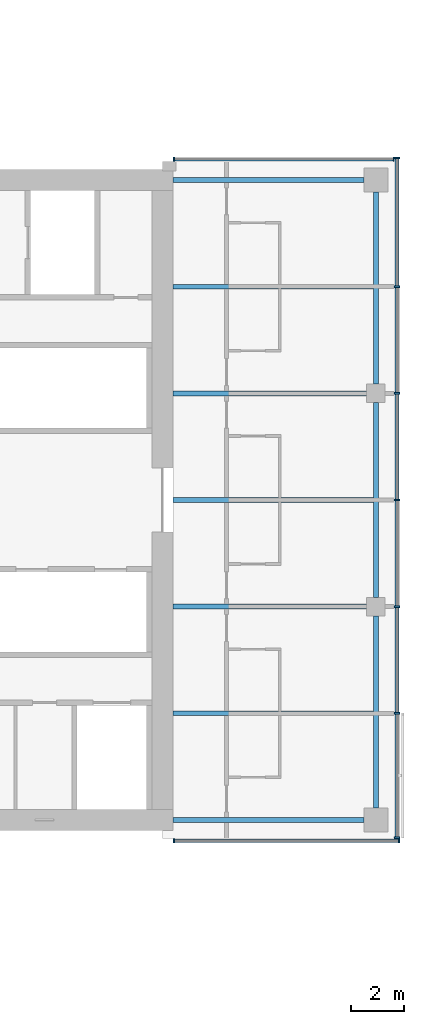
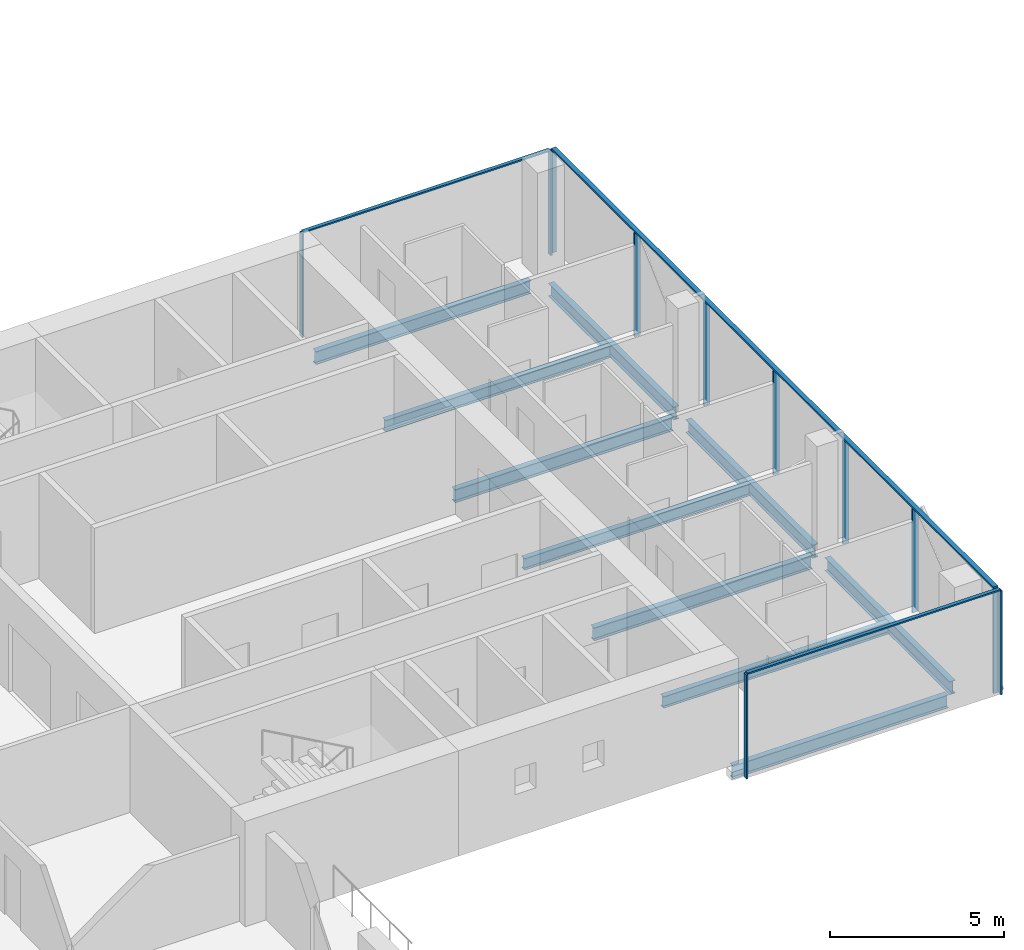
# One storey, part 11 of 27: 14 members, 10 beams, 3 elements without a shape of their own.
"""IFC4 building model written with IfcOpenShell, lengths in metres."""

from ifc_helpers import new_model, si_unit, direction, frame, origin, origin_2d, place, context, subcontext, project, spatial, rectangle, i_section, extrude, material, material_profile, profile_set, type_object, element, aggregate, save


model = new_model("IFC4")

# Units and contexts
model_context = context("Model", 3, precision=1e-05, world=origin(), true_north=direction((0.0, 1.0)))
body_context = subcontext(model_context, "Body", "Model", "MODEL_VIEW")
ifc_project = project(units=[si_unit("LENGTHUNIT", "METRE"), si_unit("AREAUNIT", "SQUARE_METRE"), si_unit("VOLUMEUNIT", "CUBIC_METRE"), si_unit("PLANEANGLEUNIT", "RADIAN"), si_unit("MASSUNIT", "GRAM", prefix="KILO")], contexts=[model_context])

# Site, building, storey
site_placement = place(None, origin())
site = spatial("IfcSite", under=ifc_project, at=site_placement, CompositionType="ELEMENT")
building_placement = place(site_placement, origin())
building = spatial("IfcBuilding", under=site, at=building_placement, Name="Crosswind Convention Tower", CompositionType="ELEMENT")
storey_placement = place(building_placement, frame((0.0, 0.0, 94.199951171875)))
storey = spatial("IfcBuildingStorey", under=building, at=storey_placement, Name="L18", CompositionType="ELEMENT", Elevation=94.199951171875)

# Beams
ifc_material_1 = material(Name="Steel S355", Category="steel")
ifc_material_profile_1 = material_profile(ifc_material_1, i_section(OverallWidth=0.1904296875, OverallDepth=0.457275390625, WebThickness=0.009033203125, FlangeThickness=0.014404296875, FilletRadius=0.01025390625, at=origin_2d()), Name="UB 457x191x75")
ifc_profile_set_1 = profile_set([ifc_material_profile_1], Name="Steel S355")
beam_type_1 = type_object("IfcBeamType", Name="Edge beam UB 457x191x75", PredefinedType="SPANDREL", material=ifc_profile_set_1)
for number, where, z_axis, x_axis, name in (
    (1, (153.39990234375, 88.0, -0.508544921875), (1.0, 0.0, 0.0), (0.0, 1.0, 0.0), "B17 L18 edge beam 24"),
    (2, (153.39990234375, 112.0, -0.508544921875), (1.0, 0.0, 0.0), (0.0, 1.0, 0.0), "B17 L18 edge beam 25"),
):
    element("IfcBeam", number, at=place(storey_placement, frame(where, z_axis=z_axis, x_axis=x_axis)), inside=storey, type_object=beam_type_1, Name=name, PredefinedType="SPANDREL", context=body_context, shape_type="SweptSolid", body=[
        extrude(i_section(OverallWidth=0.1904296875, OverallDepth=0.457275390625, WebThickness=0.009033203125, FlangeThickness=0.014404296875, FilletRadius=0.01025390625, at=origin_2d()), origin(), (0.0, 0.0, 1.0), 7.150146484375),
    ])
beam_1_placement = place(storey_placement, frame((161.0, 88.449951171875, -0.508544921875), z_axis=(0.0, 1.0, 0.0), x_axis=(-1.0, 0.0, 0.0)))
element("IfcBeam", 3, at=beam_1_placement, inside=storey, type_object=beam_type_1, Name="B17 L18 edge beam 26", PredefinedType="SPANDREL", context=body_context, shape_type="SweptSolid", body=[
    extrude(i_section(OverallWidth=0.1904296875, OverallDepth=0.457275390625, WebThickness=0.009033203125, FlangeThickness=0.014404296875, FilletRadius=0.01025390625, at=origin_2d()), origin(), (0.0, 0.0, 1.0), 7.199951171875),
])
beam_2_placement = place(storey_placement, frame((161.0, 96.35009765625, -0.508544921875), z_axis=(0.0, 1.0, 0.0), x_axis=(-1.0, 0.0, 0.0)))
element("IfcBeam", 4, at=beam_2_placement, inside=storey, type_object=beam_type_1, Name="B17 L18 edge beam 27", PredefinedType="SPANDREL", context=body_context, shape_type="SweptSolid", body=[
    extrude(i_section(OverallWidth=0.1904296875, OverallDepth=0.457275390625, WebThickness=0.009033203125, FlangeThickness=0.014404296875, FilletRadius=0.01025390625, at=origin_2d()), origin(), (0.0, 0.0, 1.0), 7.2998046875),
])
beam_3_placement = place(storey_placement, frame((161.0, 104.35009765625, -0.508544921875), z_axis=(0.0, 1.0, 0.0), x_axis=(-1.0, 0.0, 0.0)))
element("IfcBeam", 5, at=beam_3_placement, inside=storey, type_object=beam_type_1, Name="B17 L18 edge beam 28", PredefinedType="SPANDREL", context=body_context, shape_type="SweptSolid", body=[
    extrude(i_section(OverallWidth=0.1904296875, OverallDepth=0.457275390625, WebThickness=0.009033203125, FlangeThickness=0.014404296875, FilletRadius=0.01025390625, at=origin_2d()), origin(), (0.0, 0.0, 1.0), 7.199951171875),
])
ifc_material_profile_2 = material_profile(ifc_material_1, i_section(OverallWidth=0.19189453125, OverallDepth=0.463623046875, WebThickness=0.010498046875, FlangeThickness=0.017578125, FilletRadius=0.01025390625, at=origin_2d()), Name="UB 457x191x90")
ifc_profile_set_2 = profile_set([ifc_material_profile_2], Name="Steel S355")
beam_type_2 = type_object("IfcBeamType", Name="Girder at core wall UB 457x191x90", PredefinedType="BEAM", material=ifc_profile_set_2)
for number, where, z_axis, x_axis, name in (
    (6, (153.39990234375, 96.0, -0.51171875), (1.0, 0.0, 0.0), (0.0, 1.0, 0.0), "B24 L18 girder at core wall 11"),
    (7, (153.39990234375, 104.0, -0.51171875), (1.0, 0.0, 0.0), (0.0, 1.0, 0.0), "B24 L18 girder at core wall 12"),
):
    element("IfcBeam", number, at=place(storey_placement, frame(where, z_axis=z_axis, x_axis=x_axis)), inside=storey, type_object=beam_type_2, Name=name, PredefinedType="BEAM", context=body_context, shape_type="SweptSolid", body=[
        extrude(i_section(OverallWidth=0.19189453125, OverallDepth=0.463623046875, WebThickness=0.010498046875, FlangeThickness=0.017578125, FilletRadius=0.01025390625, at=origin_2d()), origin(), (0.0, 0.0, 1.0), 7.25),
    ])

# Curtain wall, members
ifc_material_2 = material(Name="Aluminium unitised curtain wall", Category="aluminium")
curtain_wall_type_1 = type_object("IfcCurtainWallType", Name="CORE END SLOT WALL 160", PredefinedType="USERDEFINED", material=ifc_material_2)
curtain_wall_1_placement = place(storey_placement, origin())
curtain_wall_1 = element("IfcCurtainWall", 8, at=curtain_wall_1_placement, inside=storey, type_object=curtain_wall_type_1, Name="CW6 L18 E-N.1-1 slot", ObjectType="UNITISED", PredefinedType="USERDEFINED")
ifc_material_3 = material(Name="Aluminium mullion", Category="aluminium")
ifc_material_profile_3 = material_profile(ifc_material_3, rectangle(XDim=0.159912109375, YDim=0.050048828125, at=origin_2d()), Name="AL 160X50")
ifc_profile_set_3 = profile_set([ifc_material_profile_3], Name="Aluminium mullion")
member_type_1 = type_object("IfcMemberType", Name="MULLION 50X160", PredefinedType="MULLION", material=ifc_profile_set_3)
member_1_placement = place(storey_placement, frame((161.675048828125, 112.780029296875, -0.280029296875), z_axis=(0.0, 0.0, 1.0), x_axis=(0.0, 1.0, 0.0)))
member_1 = element("IfcMember", 9, at=member_1_placement, type_object=member_type_1, Name="CW6 mullion 1", PredefinedType="MULLION", context=body_context, shape_type="SweptSolid", body=[
    extrude(rectangle(XDim=0.159912109375, YDim=0.050048828125, at=origin_2d()), origin(), (0.0, 0.0, 1.0), 3.650146484375),
])
member_2_placement = place(storey_placement, frame((153.425048828125, 112.780029296875, -0.280029296875), z_axis=(0.0, 0.0, 1.0), x_axis=(0.0, 1.0, 0.0)))
member_2 = element("IfcMember", 10, at=member_2_placement, type_object=member_type_1, Name="CW6 mullion 2", PredefinedType="MULLION", context=body_context, shape_type="SweptSolid", body=[
    extrude(rectangle(XDim=0.159912109375, YDim=0.050048828125, at=origin_2d()), origin(), (0.0, 0.0, 1.0), 3.650146484375),
])

curtain_wall_2_placement = place(storey_placement, origin())
curtain_wall_2 = element("IfcCurtainWall", 11, at=curtain_wall_2_placement, inside=storey, type_object=curtain_wall_type_1, Name="CW6 L18 E-S.2-1 slot", ObjectType="UNITISED", PredefinedType="USERDEFINED")
member_3_placement = place(storey_placement, frame((153.425048828125, 87.219970703125, -0.280029296875), z_axis=(0.0, 0.0, 1.0), x_axis=(0.0, -1.0, 0.0)))
member_3 = element("IfcMember", 12, at=member_3_placement, type_object=member_type_1, Name="CW6 mullion 1", PredefinedType="MULLION", context=body_context, shape_type="SweptSolid", body=[
    extrude(rectangle(XDim=0.159912109375, YDim=0.050048828125, at=origin_2d()), origin(), (0.0, 0.0, 1.0), 3.650146484375),
])
member_4_placement = place(storey_placement, frame((161.875, 87.219970703125, -0.280029296875), z_axis=(0.0, 0.0, 1.0), x_axis=(0.0, -1.0, 0.0)))
member_4 = element("IfcMember", 13, at=member_4_placement, type_object=member_type_1, Name="CW6 mullion 2", PredefinedType="MULLION", context=body_context, shape_type="SweptSolid", body=[
    extrude(rectangle(XDim=0.159912109375, YDim=0.050048828125, at=origin_2d()), origin(), (0.0, 0.0, 1.0), 3.650146484375),
])

curtain_wall_type_2 = type_object("IfcCurtainWallType", Name="HOTEL UNITISED WALL 200", PredefinedType="USERDEFINED", material=ifc_material_2)
curtain_wall_3_placement = place(storey_placement, origin())
curtain_wall_3 = element("IfcCurtainWall", 14, at=curtain_wall_3_placement, inside=storey, type_object=curtain_wall_type_2, Name="CW2 L18 E-TIP 1", ObjectType="UNITISED", PredefinedType="USERDEFINED")
ifc_material_profile_4 = material_profile(ifc_material_3, rectangle(XDim=0.199951171875, YDim=0.06494140625, at=origin_2d()), Name="AL 200X65")
ifc_profile_set_4 = profile_set([ifc_material_profile_4], Name="Aluminium mullion")
member_type_2 = type_object("IfcMemberType", Name="MULLION 65X200", PredefinedType="MULLION", material=ifc_profile_set_4)
member_5_placement = place(storey_placement, frame((161.800048828125, 87.33251953125, -0.280029296875), z_axis=(0.0, 0.0, 1.0), x_axis=(1.0, 0.0, 0.0)))
member_5 = element("IfcMember", 15, at=member_5_placement, type_object=member_type_2, Name="CW2 mullion 1", PredefinedType="MULLION", context=body_context, shape_type="SweptSolid", body=[
    extrude(rectangle(XDim=0.199951171875, YDim=0.06494140625, at=origin_2d()), origin(), (0.0, 0.0, 1.0), 3.635009765625),
])
member_6_placement = place(storey_placement, frame((161.800048828125, 92.0, -0.280029296875), z_axis=(0.0, 0.0, 1.0), x_axis=(1.0, 0.0, 0.0)))
member_6 = element("IfcMember", 16, at=member_6_placement, type_object=member_type_2, Name="CW2 mullion 2", PredefinedType="MULLION", context=body_context, shape_type="SweptSolid", body=[
    extrude(rectangle(XDim=0.199951171875, YDim=0.06494140625, at=origin_2d()), origin(), (0.0, 0.0, 1.0), 3.635009765625),
])
member_7_placement = place(storey_placement, frame((161.800048828125, 96.0, -0.280029296875), z_axis=(0.0, 0.0, 1.0), x_axis=(1.0, 0.0, 0.0)))
member_7 = element("IfcMember", 17, at=member_7_placement, type_object=member_type_2, Name="CW2 mullion 3", PredefinedType="MULLION", context=body_context, shape_type="SweptSolid", body=[
    extrude(rectangle(XDim=0.199951171875, YDim=0.06494140625, at=origin_2d()), origin(), (0.0, 0.0, 1.0), 3.635009765625),
])
member_8_placement = place(storey_placement, frame((161.800048828125, 100.0, -0.280029296875), z_axis=(0.0, 0.0, 1.0), x_axis=(1.0, 0.0, 0.0)))
member_8 = element("IfcMember", 18, at=member_8_placement, type_object=member_type_2, Name="CW2 mullion 4", PredefinedType="MULLION", context=body_context, shape_type="SweptSolid", body=[
    extrude(rectangle(XDim=0.199951171875, YDim=0.06494140625, at=origin_2d()), origin(), (0.0, 0.0, 1.0), 3.635009765625),
])
member_9_placement = place(storey_placement, frame((161.800048828125, 104.0, -0.280029296875), z_axis=(0.0, 0.0, 1.0), x_axis=(1.0, 0.0, 0.0)))
member_9 = element("IfcMember", 19, at=member_9_placement, type_object=member_type_2, Name="CW2 mullion 5", PredefinedType="MULLION", context=body_context, shape_type="SweptSolid", body=[
    extrude(rectangle(XDim=0.199951171875, YDim=0.06494140625, at=origin_2d()), origin(), (0.0, 0.0, 1.0), 3.635009765625),
])
member_10_placement = place(storey_placement, frame((161.800048828125, 108.0, -0.280029296875), z_axis=(0.0, 0.0, 1.0), x_axis=(1.0, 0.0, 0.0)))
member_10 = element("IfcMember", 20, at=member_10_placement, type_object=member_type_2, Name="CW2 mullion 6", PredefinedType="MULLION", context=body_context, shape_type="SweptSolid", body=[
    extrude(rectangle(XDim=0.199951171875, YDim=0.06494140625, at=origin_2d()), origin(), (0.0, 0.0, 1.0), 3.635009765625),
])
member_11_placement = place(storey_placement, frame((161.800048828125, 112.827392578125, -0.280029296875), z_axis=(0.0, 0.0, 1.0), x_axis=(1.0, 0.0, 0.0)))
member_11 = element("IfcMember", 21, at=member_11_placement, type_object=member_type_2, Name="CW2 mullion 7", PredefinedType="MULLION", context=body_context, shape_type="SweptSolid", body=[
    extrude(rectangle(XDim=0.199951171875, YDim=0.06494140625, at=origin_2d()), origin(), (0.0, 0.0, 1.0), 3.635009765625),
])

# Beams
ifc_material_profile_5 = material_profile(ifc_material_1, i_section(OverallWidth=0.177734375, OverallDepth=0.406494140625, WebThickness=0.0078125, FlangeThickness=0.0126953125, FilletRadius=0.01025390625, at=origin_2d()), Name="UB 406x178x60")
ifc_profile_set_5 = profile_set([ifc_material_profile_5], Name="Steel S355")
beam_type_3 = type_object("IfcBeamType", Name="Secondary beam UB 406x178x60", PredefinedType="JOIST", material=ifc_profile_set_5)
for number, where, z_axis, x_axis, name in (
    (22, (153.39990234375, 92.0, -0.483154296875), (1.0, 0.0, 0.0), (0.0, 1.0, 0.0), "B10 L18 secondary beam 31"),
    (23, (153.39990234375, 100.0, -0.483154296875), (1.0, 0.0, 0.0), (0.0, 1.0, 0.0), "B10 L18 secondary beam 32"),
    (24, (153.39990234375, 108.0, -0.483154296875), (1.0, 0.0, 0.0), (0.0, 1.0, 0.0), "B10 L18 secondary beam 33"),
):
    element("IfcBeam", number, at=place(storey_placement, frame(where, z_axis=z_axis, x_axis=x_axis)), inside=storey, type_object=beam_type_3, Name=name, PredefinedType="JOIST", context=body_context, shape_type="SweptSolid", body=[
        extrude(i_section(OverallWidth=0.177734375, OverallDepth=0.406494140625, WebThickness=0.0078125, FlangeThickness=0.0126953125, FilletRadius=0.01025390625, at=origin_2d()), origin(), (0.0, 0.0, 1.0), 7.5048828125),
    ])

# Member
ifc_material_4 = material(Name="Aluminium transom", Category="aluminium")
ifc_material_profile_6 = material_profile(ifc_material_4, rectangle(XDim=0.1201171875, YDim=0.050048828125, at=origin_2d()), Name="AL 120X50")
ifc_profile_set_6 = profile_set([ifc_material_profile_6], Name="Aluminium transom")
member_type_3 = type_object("IfcMemberType", Name="TRANSOM 50X120", PredefinedType="USERDEFINED", material=ifc_profile_set_6)
member_12_placement = place(storey_placement, frame((161.64990234375, 112.780029296875, 3.39501953125), z_axis=(-1.0, 0.0, 0.0), x_axis=(0.0, -1.0, 0.0)))
member_12 = element("IfcMember", 25, at=member_12_placement, type_object=member_type_3, Name="CW6 transom", ObjectType="TRANSOM", PredefinedType="USERDEFINED", context=body_context, shape_type="SweptSolid", body=[
    extrude(rectangle(XDim=0.1201171875, YDim=0.050048828125, at=origin_2d()), origin(), (0.0, 0.0, 1.0), 8.199951171875),
])

aggregate(curtain_wall_1, [member_1, member_2, member_12])

member_13_placement = place(storey_placement, frame((153.449951171875, 87.219970703125, 3.39501953125), z_axis=(1.0, 0.0, 0.0), x_axis=(0.0, 1.0, 0.0)))
member_13 = element("IfcMember", 26, at=member_13_placement, type_object=member_type_3, Name="CW6 transom", ObjectType="TRANSOM", PredefinedType="USERDEFINED", context=body_context, shape_type="SweptSolid", body=[
    extrude(rectangle(XDim=0.1201171875, YDim=0.050048828125, at=origin_2d()), origin(), (0.0, 0.0, 1.0), 8.400146484375),
])

aggregate(curtain_wall_2, [member_3, member_4, member_13])

ifc_material_profile_7 = material_profile(ifc_material_4, rectangle(XDim=0.14990234375, YDim=0.06494140625, at=origin_2d()), Name="AL 150X65")
ifc_profile_set_7 = profile_set([ifc_material_profile_7], Name="Aluminium transom")
member_type_4 = type_object("IfcMemberType", Name="TRANSOM 65X150", PredefinedType="USERDEFINED", material=ifc_profile_set_7)
member_14_placement = place(storey_placement, frame((161.800048828125, 87.364990234375, 3.387451171875), z_axis=(0.0, 1.0, 0.0), x_axis=(-1.0, 0.0, 0.0)))
member_14 = element("IfcMember", 27, at=member_14_placement, type_object=member_type_4, Name="CW2 transom", ObjectType="TRANSOM", PredefinedType="USERDEFINED", context=body_context, shape_type="SweptSolid", body=[
    extrude(rectangle(XDim=0.14990234375, YDim=0.06494140625, at=origin_2d()), origin(), (0.0, 0.0, 1.0), 25.429931640625),
])

aggregate(curtain_wall_3, [member_5, member_6, member_7, member_8, member_9, member_10, member_11, member_14])

save(model, "model.ifc")
